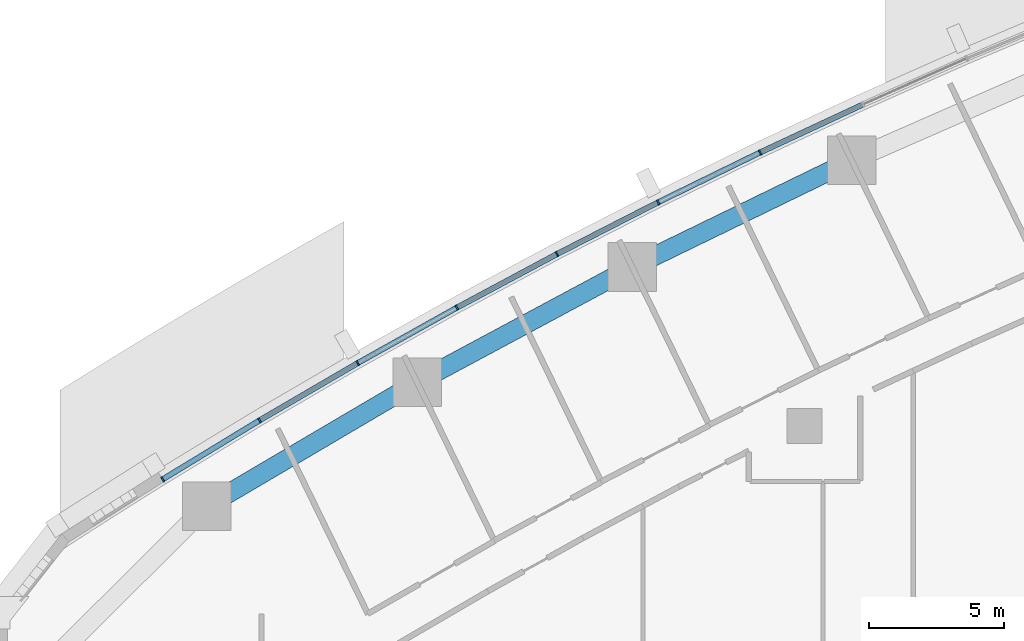
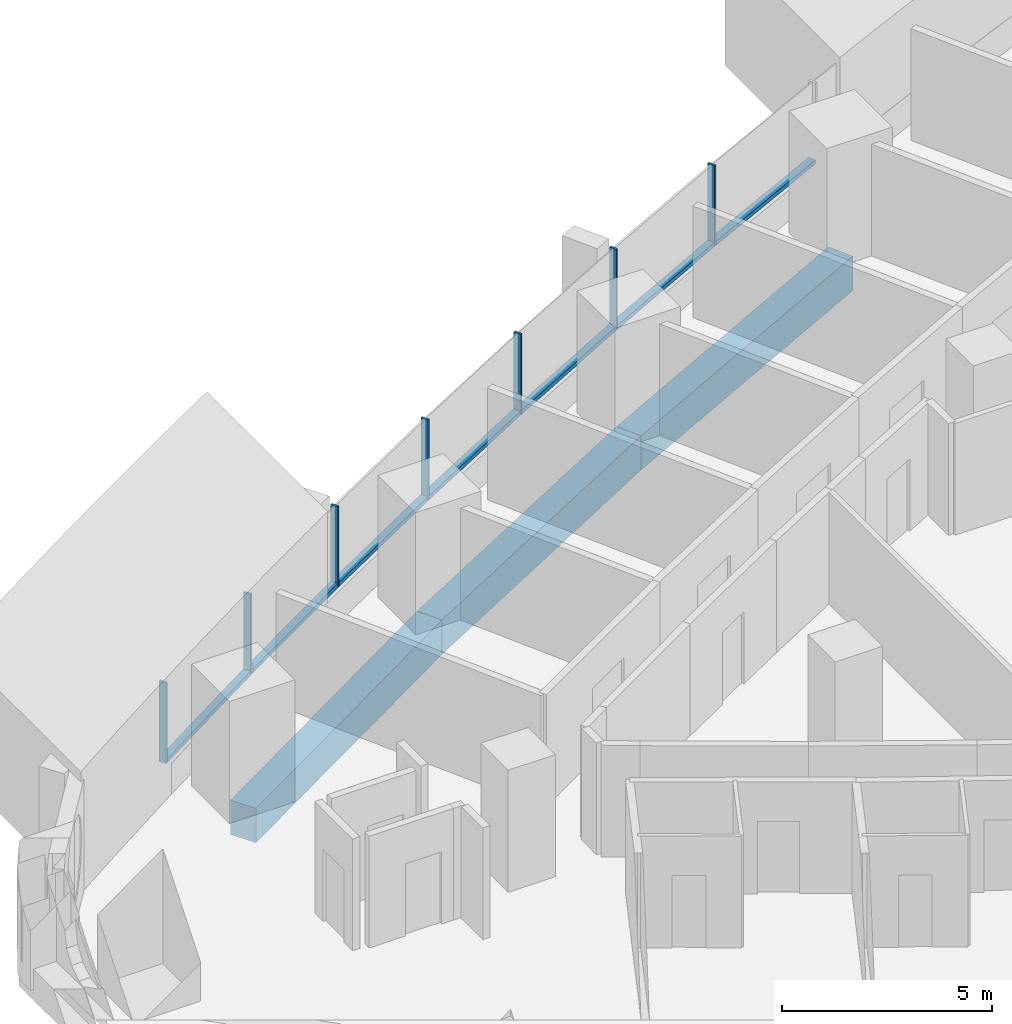
# One storey, part 5 of 19: 14 members, 3 beams, 3 elements without a shape of their own.
"""IFC4 building model written with IfcOpenShell, lengths in metres."""

from ifc_helpers import new_model, si_unit, direction, frame, origin, origin_2d, place, context, subcontext, project, spatial, rectangle, extrude, material, layer, layer_set, material_profile, profile_set, type_object, element, aggregate, save


model = new_model("IFC4")

# Units and contexts
model_context = context("Model", 3, precision=1e-05, world=origin(), true_north=direction((0.0, 1.0)))
body_context = subcontext(model_context, "Body", "Model", "MODEL_VIEW")
ifc_project = project(units=[si_unit("LENGTHUNIT", "METRE"), si_unit("AREAUNIT", "SQUARE_METRE"), si_unit("VOLUMEUNIT", "CUBIC_METRE"), si_unit("PLANEANGLEUNIT", "RADIAN"), si_unit("MASSUNIT", "GRAM", prefix="KILO")], contexts=[model_context])

# Site, building, storey
site_placement = place(None, origin())
site = spatial("IfcSite", under=ifc_project, at=site_placement, CompositionType="ELEMENT")
building_placement = place(site_placement, origin())
building = spatial("IfcBuilding", under=site, at=building_placement, Name="Ostrand Prow Hotel Tower", CompositionType="ELEMENT")
storey_placement = place(building_placement, frame((0.0, 0.0, 46.699951171875)))
storey = spatial("IfcBuildingStorey", under=building, at=storey_placement, Name="L09", CompositionType="ELEMENT", Elevation=46.699951171875)

# Beams
ifc_material_1 = material(Name="Concrete C80/95", Category="concrete")
ifc_material_profile_1 = material_profile(ifc_material_1, rectangle(XDim=0.699951171875, YDim=1.0, at=origin_2d()), Name="RC 700x1000")
ifc_profile_set_1 = profile_set([ifc_material_profile_1], Name="Concrete C80/95")
beam_type = type_object("IfcBeamType", Name="Edge beam 700x1000 C80/95", PredefinedType="SPANDREL", material=ifc_profile_set_1)
beam_1_placement = place(storey_placement, frame((35.7412109375, 18.814208984375, -0.800048828125), z_axis=(-0.899382499202, -0.437162578601, 0.0), x_axis=(0.437162578601, -0.899382499202, 0.0)))
element("IfcBeam", 1, at=beam_1_placement, inside=storey, type_object=beam_type, Name="Edge beam N3-N4", PredefinedType="SPANDREL", context=body_context, shape_type="SweptSolid", body=[
    extrude(rectangle(XDim=0.699951171875, YDim=1.0, at=origin_2d()), origin(), (0.0, 0.0, 1.0), 9.012451171875),
])
beam_2_placement = place(storey_placement, frame((27.635498046875, 14.874267578125, -0.800048828125), z_axis=(-0.881270074696, -0.472613008122, 0.0), x_axis=(0.472613008122, -0.881270074696, 0.0)))
element("IfcBeam", 2, at=beam_2_placement, inside=storey, type_object=beam_type, Name="Edge beam N4-N5", PredefinedType="SPANDREL", context=body_context, shape_type="SweptSolid", body=[
    extrude(rectangle(XDim=0.699951171875, YDim=1.0, at=origin_2d()), origin(), (0.0, 0.0, 1.0), 9.0126953125),
])
beam_3_placement = place(storey_placement, frame((19.69287109375, 10.61474609375, -0.800048828125), z_axis=(-0.861725230108, -0.507375233722, 0.0), x_axis=(0.507375233722, -0.861725230108, 0.0)))
element("IfcBeam", 3, at=beam_3_placement, inside=storey, type_object=beam_type, Name="Edge beam N5-N6", PredefinedType="SPANDREL", context=body_context, shape_type="SweptSolid", body=[
    extrude(rectangle(XDim=0.699951171875, YDim=1.0, at=origin_2d()), origin(), (0.0, 0.0, 1.0), 9.012451171875),
])

# Curtain wall, members
ifc_material_2 = material(Name="Insulated glass in bronze anodised frame", Category="glass")
ifc_layer = layer(ifc_material_2, 0.199951171875)
ifc_layer_set = layer_set([ifc_layer], Name="Insulated glass in bronze anodised frame")
curtain_wall_type = type_object("IfcCurtainWallType", Name="Strip curtain wall, fritted glass over bronze spandrel", PredefinedType="NOTDEFINED", material=ifc_layer_set)
curtain_wall_1_placement = place(storey_placement, origin())
curtain_wall_1 = element("IfcCurtainWall", 4, at=curtain_wall_1_placement, inside=storey, type_object=curtain_wall_type, Name="CW1 run CWN3", PredefinedType="NOTDEFINED")
ifc_material_3 = material(Name="Bronze anodised aluminium", Category="aluminium")
ifc_material_profile_2 = material_profile(ifc_material_3, rectangle(XDim=0.199951171875, YDim=0.06005859375, at=origin_2d()), Name="Mullion 60x200 bronze anodised aluminium")
ifc_profile_set_2 = profile_set([ifc_material_profile_2], Name="Bronze anodised aluminium")
member_type_1 = type_object("IfcMemberType", Name="Mullion 60x200 bronze anodised aluminium", PredefinedType="MULLION", material=ifc_profile_set_2)
member_1_placement = place(storey_placement, frame((32.360595703125, 19.10498046875, 0.900146484375), z_axis=(0.0, 0.0, 1.0), x_axis=(0.439138077204, -0.898419584131, 0.0)))
member_1 = element("IfcMember", 5, at=member_1_placement, type_object=member_type_1, Name="CW1 mullion 2", PredefinedType="MULLION", context=body_context, shape_type="SweptSolid", body=[
    extrude(rectangle(XDim=0.199951171875, YDim=0.06005859375, at=origin_2d()), origin(), (0.0, 0.0, 1.0), 2.349853515625),
])
member_2_placement = place(storey_placement, frame((28.59228515625, 17.262939453125, 0.900146484375), z_axis=(0.0, 0.0, 1.0), x_axis=(0.439138077204, -0.898419584131, 0.0)))
member_2 = element("IfcMember", 6, at=member_2_placement, type_object=member_type_1, Name="CW1 mullion 3", PredefinedType="MULLION", context=body_context, shape_type="SweptSolid", body=[
    extrude(rectangle(XDim=0.199951171875, YDim=0.06005859375, at=origin_2d()), origin(), (0.0, 0.0, 1.0), 2.349853515625),
])

curtain_wall_2_placement = place(storey_placement, origin())
curtain_wall_2 = element("IfcCurtainWall", 7, at=curtain_wall_2_placement, inside=storey, type_object=curtain_wall_type, Name="CW1 run CWN4", PredefinedType="NOTDEFINED")
member_3_placement = place(storey_placement, frame((24.858642578125, 15.35205078125, 0.900146484375), z_axis=(0.0, 0.0, 1.0), x_axis=(0.471899992481, -0.881652083929, 0.0)))
member_3 = element("IfcMember", 8, at=member_3_placement, type_object=member_type_1, Name="CW1 mullion 2", PredefinedType="MULLION", context=body_context, shape_type="SweptSolid", body=[
    extrude(rectangle(XDim=0.199951171875, YDim=0.06005859375, at=origin_2d()), origin(), (0.0, 0.0, 1.0), 2.349853515625),
])
member_4_placement = place(storey_placement, frame((21.160888671875, 13.372802734375, 0.900146484375), z_axis=(0.0, 0.0, 1.0), x_axis=(0.488043996167, -0.872819029241, 0.0)))
member_4 = element("IfcMember", 9, at=member_4_placement, type_object=member_type_1, Name="CW1 mullion 3", PredefinedType="MULLION", context=body_context, shape_type="SweptSolid", body=[
    extrude(rectangle(XDim=0.199951171875, YDim=0.06005859375, at=origin_2d()), origin(), (0.0, 0.0, 1.0), 2.349853515625),
])
member_5_placement = place(storey_placement, frame((17.5, 11.325927734375, 0.900146484375), z_axis=(0.0, 0.0, 1.0), x_axis=(0.488043996167, -0.872819029241, 0.0)))
member_5 = element("IfcMember", 10, at=member_5_placement, type_object=member_type_1, Name="CW1 mullion 4", PredefinedType="MULLION", context=body_context, shape_type="SweptSolid", body=[
    extrude(rectangle(XDim=0.199951171875, YDim=0.06005859375, at=origin_2d()), origin(), (0.0, 0.0, 1.0), 2.349853515625),
])

curtain_wall_3_placement = place(storey_placement, origin())
curtain_wall_3 = element("IfcCurtainWall", 11, at=curtain_wall_3_placement, inside=storey, type_object=curtain_wall_type, Name="CW1 run CWN5", PredefinedType="NOTDEFINED")
member_6_placement = place(storey_placement, frame((13.87744140625, 9.2119140625, 0.900146484375), z_axis=(0.0, 0.0, 1.0), x_axis=(0.519830761515, -0.854269266322, 0.0)))
member_6 = element("IfcMember", 12, at=member_6_placement, type_object=member_type_1, Name="CW1 mullion 2", PredefinedType="MULLION", context=body_context, shape_type="SweptSolid", body=[
    extrude(rectangle(XDim=0.199951171875, YDim=0.06005859375, at=origin_2d()), origin(), (0.0, 0.0, 1.0), 2.349853515625),
])
member_7_placement = place(storey_placement, frame((10.29443359375, 7.031494140625, 0.900146484375), z_axis=(0.0, 0.0, 1.0), x_axis=(0.519830761515, -0.854269266322, 0.0)))
member_7 = element("IfcMember", 13, at=member_7_placement, type_object=member_type_1, Name="CW1 mullion 3", PredefinedType="MULLION", context=body_context, shape_type="SweptSolid", body=[
    extrude(rectangle(XDim=0.199951171875, YDim=0.06005859375, at=origin_2d()), origin(), (0.0, 0.0, 1.0), 2.349853515625),
])

# Member
ifc_material_4 = material(Name="Bronze anodised aluminium", Category="aluminium")
ifc_material_profile_3 = material_profile(ifc_material_4, rectangle(XDim=0.199951171875, YDim=0.1201171875, at=origin_2d()), Name="Transom 120x200 bronze anodised aluminium")
ifc_profile_set_3 = profile_set([ifc_material_profile_3], Name="Bronze anodised aluminium")
member_type_2 = type_object("IfcMemberType", Name="Transom 120x200 bronze anodised aluminium", PredefinedType="USERDEFINED", material=ifc_profile_set_3)
member_8_placement = place(storey_placement, frame((36.135009765625, 20.864501953125, 0.9599609375), z_axis=(-0.906338458793, -0.422552479714, 0.0), x_axis=(0.422552479714, -0.906338458793, 0.0)))
member_8 = element("IfcMember", 14, at=member_8_placement, type_object=member_type_2, Name="CW1 transom 1.1", ObjectType="TRANSOM", PredefinedType="USERDEFINED", context=body_context, shape_type="SweptSolid", body=[
    extrude(rectangle(XDim=0.199951171875, YDim=0.1201171875, at=origin_2d()), origin(), (0.0, 0.0, 1.0), 4.134521484375),
])

member_9_placement = place(storey_placement, frame((32.33349609375, 19.091796875, 0.9599609375), z_axis=(-0.898395234758, -0.439187889364, 0.0), x_axis=(0.439187889364, -0.898395234758, 0.0)))
member_9 = element("IfcMember", 15, at=member_9_placement, type_object=member_type_2, Name="CW1 transom 2.1", ObjectType="TRANSOM", PredefinedType="USERDEFINED", context=body_context, shape_type="SweptSolid", body=[
    extrude(rectangle(XDim=0.199951171875, YDim=0.1201171875, at=origin_2d()), origin(), (0.0, 0.0, 1.0), 4.13427734375),
])

aggregate(curtain_wall_1, [member_1, member_2, member_8, member_9])

member_10_placement = place(storey_placement, frame((28.565673828125, 17.249267578125, 0.9599609375), z_axis=(-0.890182999343, -0.455603147136, 0.0), x_axis=(0.455603147136, -0.890182999343, 0.0)))
member_10 = element("IfcMember", 16, at=member_10_placement, type_object=member_type_2, Name="CW1 transom 1.1", ObjectType="TRANSOM", PredefinedType="USERDEFINED", context=body_context, shape_type="SweptSolid", body=[
    extrude(rectangle(XDim=0.199951171875, YDim=0.1201171875, at=origin_2d()), origin(), (0.0, 0.0, 1.0), 4.13427734375),
])

member_11_placement = place(storey_placement, frame((24.832275390625, 15.337890625, 0.9599609375), z_axis=(-0.881657241639, -0.471890356191, 0.0), x_axis=(0.471890356191, -0.881657241639, 0.0)))
member_11 = element("IfcMember", 17, at=member_11_placement, type_object=member_type_2, Name="CW1 transom 2.1", ObjectType="TRANSOM", PredefinedType="USERDEFINED", context=body_context, shape_type="SweptSolid", body=[
    extrude(rectangle(XDim=0.199951171875, YDim=0.1201171875, at=origin_2d()), origin(), (0.0, 0.0, 1.0), 4.13427734375),
])

member_12_placement = place(storey_placement, frame((21.134765625, 13.358154296875, 0.9599609375), z_axis=(-0.872842137405, -0.488002667175, 0.0), x_axis=(0.488002667175, -0.872842137405, 0.0)))
member_12 = element("IfcMember", 18, at=member_12_placement, type_object=member_type_2, Name="CW1 transom 3.1", ObjectType="TRANSOM", PredefinedType="USERDEFINED", context=body_context, shape_type="SweptSolid", body=[
    extrude(rectangle(XDim=0.199951171875, YDim=0.1201171875, at=origin_2d()), origin(), (0.0, 0.0, 1.0), 4.13427734375),
])

aggregate(curtain_wall_2, [member_3, member_4, member_5, member_10, member_11, member_12])

member_13_placement = place(storey_placement, frame((17.47412109375, 11.310791015625, 0.9599609375), z_axis=(-0.863697501622, -0.504010541251, 0.0), x_axis=(0.504010541251, -0.863697501622, 0.0)))
member_13 = element("IfcMember", 19, at=member_13_placement, type_object=member_type_2, Name="CW1 transom 1.1", ObjectType="TRANSOM", PredefinedType="USERDEFINED", context=body_context, shape_type="SweptSolid", body=[
    extrude(rectangle(XDim=0.199951171875, YDim=0.1201171875, at=origin_2d()), origin(), (0.0, 0.0, 1.0), 4.13427734375),
])

member_14_placement = place(storey_placement, frame((13.851806640625, 9.1962890625, 0.9599609375), z_axis=(-0.8542612678, -0.519843905741, 0.0), x_axis=(0.519843905741, -0.8542612678, 0.0)))
member_14 = element("IfcMember", 20, at=member_14_placement, type_object=member_type_2, Name="CW1 transom 2.1", ObjectType="TRANSOM", PredefinedType="USERDEFINED", context=body_context, shape_type="SweptSolid", body=[
    extrude(rectangle(XDim=0.199951171875, YDim=0.1201171875, at=origin_2d()), origin(), (0.0, 0.0, 1.0), 4.13427734375),
])

aggregate(curtain_wall_3, [member_6, member_7, member_13, member_14])

save(model, "model.ifc")
